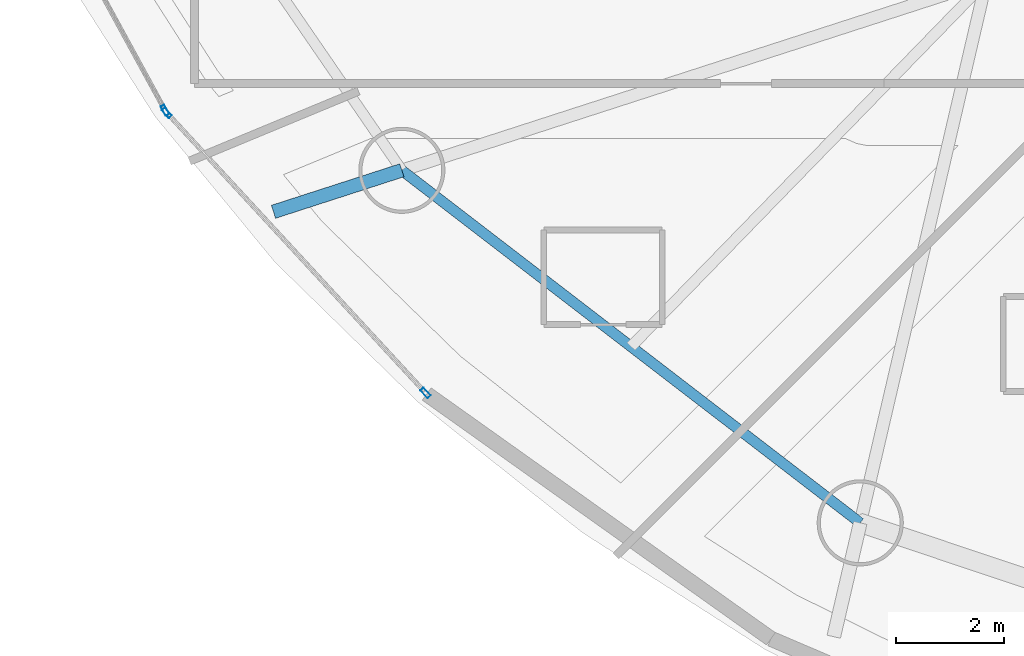
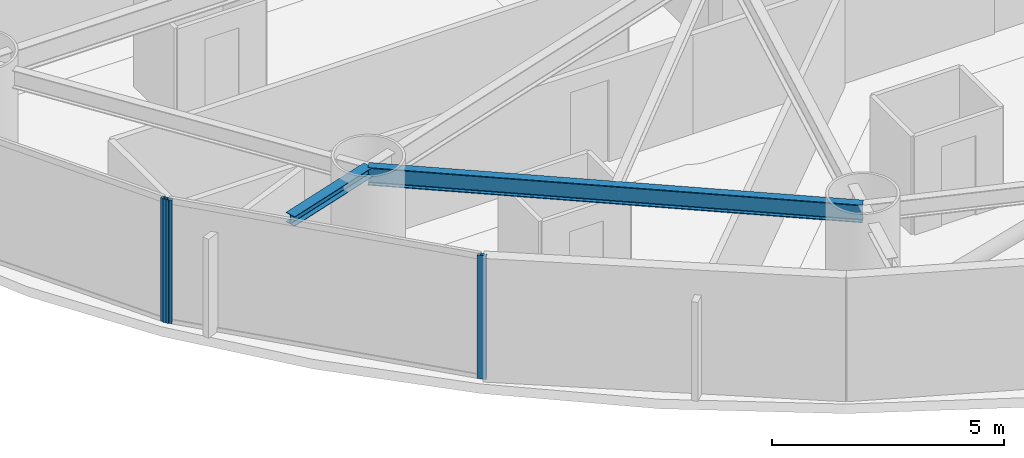
# One storey, part 2 of 27: 3 members, 2 beams, 2 elements without a shape of their own.
"""IFC4 building model written with IfcOpenShell, lengths in metres."""

from ifc_helpers import new_model, si_unit, direction, frame, origin, origin_2d, place, context, subcontext, project, spatial, hollow_rectangle, i_section, extrude, material, layer, layer_set, material_profile, profile_set, type_object, element, aggregate, save


model = new_model("IFC4")

# Units and contexts
model_context = context("Model", 3, precision=1e-05, world=origin(), true_north=direction((0.0, 1.0)))
body_context = subcontext(model_context, "Body", "Model", "MODEL_VIEW")
ifc_project = project(units=[si_unit("LENGTHUNIT", "METRE"), si_unit("AREAUNIT", "SQUARE_METRE"), si_unit("VOLUMEUNIT", "CUBIC_METRE"), si_unit("PLANEANGLEUNIT", "RADIAN"), si_unit("MASSUNIT", "GRAM", prefix="KILO")], contexts=[model_context])

# Site, building, storey
site_placement = place(None, origin())
site = spatial("IfcSite", under=ifc_project, at=site_placement, CompositionType="ELEMENT")
building_placement = place(site_placement, origin())
building = spatial("IfcBuilding", under=site, at=building_placement, Name="Bramvorn Convention Spire", CompositionType="ELEMENT")
storey_placement = place(building_placement, frame((0.0, 0.0, 44.89990234375)))
storey = spatial("IfcBuildingStorey", under=building, at=storey_placement, Name="L08", CompositionType="ELEMENT", Elevation=44.89990234375)

# Beams
ifc_material_1 = material(Name="Steel CSA G40.21 Grade 350 (350W)", Category="steel")
ifc_material_profile_1 = material_profile(ifc_material_1, i_section(OverallWidth=0.25390625, OverallDepth=0.2529296875, WebThickness=0.008544921875, FlangeThickness=0.01416015625, FilletRadius=0.011962890625, at=origin_2d()))
ifc_profile_set_1 = profile_set([ifc_material_profile_1], Name="Steel CSA G40.21 Grade 350 (350W) - W250X73")
beam_type_1 = type_object("IfcBeamType", Name="BM-W250X73", PredefinedType="BEAM", material=ifc_profile_set_1)
beam_1_placement = place(storey_placement, frame((15.894775390625, 15.039794921875, 3.12353515625), z_axis=(-0.951499049542, -0.307651684085, 0.0), x_axis=(0.307651684085, -0.951499049542, 0.0)))
element("IfcBeam", 1, at=beam_1_placement, inside=storey, type_object=beam_type_1, Name="L08 slab-edge cantilever tip beam MC11", PredefinedType="BEAM", context=body_context, shape_type="SweptSolid", body=[
    extrude(i_section(OverallWidth=0.25390625, OverallDepth=0.2529296875, WebThickness=0.008544921875, FlangeThickness=0.01416015625, FilletRadius=0.011962890625, at=origin_2d()), origin(), (0.0, 0.0, 1.0), 2.506103515625),
])
ifc_material_profile_2 = material_profile(ifc_material_1, i_section(OverallWidth=0.194091796875, OverallDepth=0.468994140625, WebThickness=0.0126953125, FlangeThickness=0.0205078125, FilletRadius=0.01806640625, at=origin_2d()))
ifc_profile_set_2 = profile_set([ifc_material_profile_2], Name="Steel CSA G40.21 Grade 350 (350W) - W460X106")
beam_type_2 = type_object("IfcBeamType", Name="BM-W460X106", PredefinedType="SPANDREL", material=ifc_profile_set_2)
beam_2_placement = place(storey_placement, frame((15.894775390625, 15.039794921875, 3.015625), z_axis=(0.792672990445, -0.609647053809, 0.0), x_axis=(0.609647053809, 0.792672990445, 0.0)))
element("IfcBeam", 2, at=beam_2_placement, inside=storey, type_object=beam_type_2, Name="L08 mega-column ring beam 11", PredefinedType="SPANDREL", context=body_context, shape_type="SweptSolid", body=[
    extrude(i_section(OverallWidth=0.194091796875, OverallDepth=0.468994140625, WebThickness=0.0126953125, FlangeThickness=0.0205078125, FilletRadius=0.01806640625, at=origin_2d()), origin(), (0.0, 0.0, 1.0), 10.741943359375),
])

# Curtain wall, member
ifc_material_2 = material(Name="Anodised Bronze Unitised Curtain Wall", Category="aluminium")
ifc_layer = layer(ifc_material_2, 0.179931640625)
ifc_layer_set = layer_set([ifc_layer], Name="Anodised Bronze Unitised Curtain Wall - CW-HTL-FRIT")
curtain_wall_type = type_object("IfcCurtainWallType", Name="CW-HTL-FRIT", PredefinedType="USERDEFINED", material=ifc_layer_set)
curtain_wall_1_placement = place(storey_placement, origin())
curtain_wall_1 = element("IfcCurtainWall", 3, at=curtain_wall_1_placement, inside=storey, type_object=curtain_wall_type, Name="L08 fritted glass curtain wall 14", ObjectType="UNITISED CURTAIN WALL", PredefinedType="USERDEFINED")
ifc_material_3 = material(Name="Anodised Bronze Aluminium 6063-T6", Category="aluminium")
ifc_material_profile_3 = material_profile(ifc_material_3, hollow_rectangle(XDim=0.080078125, YDim=0.199951171875, WallThickness=0.00390625, InnerFilletRadius=0.0009765625, OuterFilletRadius=0.00390625, at=origin_2d()))
ifc_profile_set_3 = profile_set([ifc_material_profile_3], Name="Anodised Bronze Aluminium 6063-T6 - CWM80X200")
member_type = type_object("IfcMemberType", Name="CW-MUL-180", PredefinedType="MULLION", material=ifc_profile_set_3)
member_1_placement = place(storey_placement, frame((11.49462890625, 16.15673828125, 0.0), z_axis=(0.0, 0.0, 1.0), x_axis=(-0.877805123301, -0.479017917731, 0.0)))
member_1 = element("IfcMember", 4, at=member_1_placement, type_object=member_type, Name="CW2 mullion 1", PredefinedType="MULLION", context=body_context, shape_type="SweptSolid", body=[
    extrude(hollow_rectangle(XDim=0.080078125, YDim=0.199951171875, WallThickness=0.00390625, InnerFilletRadius=0.0009765625, OuterFilletRadius=0.00390625, at=origin_2d()), origin(), (0.0, 0.0, 1.0), 3.25),
])
aggregate(curtain_wall_1, [member_1])

# Curtain wall, members
curtain_wall_2_placement = place(storey_placement, origin())
curtain_wall_2 = element("IfcCurtainWall", 5, at=curtain_wall_2_placement, inside=storey, type_object=curtain_wall_type, Name="L08 fritted glass curtain wall 15", ObjectType="UNITISED CURTAIN WALL", PredefinedType="USERDEFINED")
member_2_placement = place(storey_placement, frame((16.336181640625, 10.90625, 0.0), z_axis=(0.0, 0.0, 1.0), x_axis=(-0.734478096687, -0.678632393484, 0.0)))
member_2 = element("IfcMember", 6, at=member_2_placement, type_object=member_type, Name="CW2 mullion 1", PredefinedType="MULLION", context=body_context, shape_type="SweptSolid", body=[
    extrude(hollow_rectangle(XDim=0.080078125, YDim=0.199951171875, WallThickness=0.00390625, InnerFilletRadius=0.0009765625, OuterFilletRadius=0.00390625, at=origin_2d()), origin(), (0.0, 0.0, 1.0), 3.25),
])
member_3_placement = place(storey_placement, frame((11.529541015625, 16.1083984375, 0.0), z_axis=(0.0, 0.0, 1.0), x_axis=(-0.734478096687, -0.678632393484, 0.0)))
member_3 = element("IfcMember", 7, at=member_3_placement, type_object=member_type, Name="CW2 mullion 2", PredefinedType="MULLION", context=body_context, shape_type="SweptSolid", body=[
    extrude(hollow_rectangle(XDim=0.080078125, YDim=0.199951171875, WallThickness=0.00390625, InnerFilletRadius=0.0009765625, OuterFilletRadius=0.00390625, at=origin_2d()), origin(), (0.0, 0.0, 1.0), 3.25),
])
aggregate(curtain_wall_2, [member_2, member_3])

save(model, "model.ifc")
